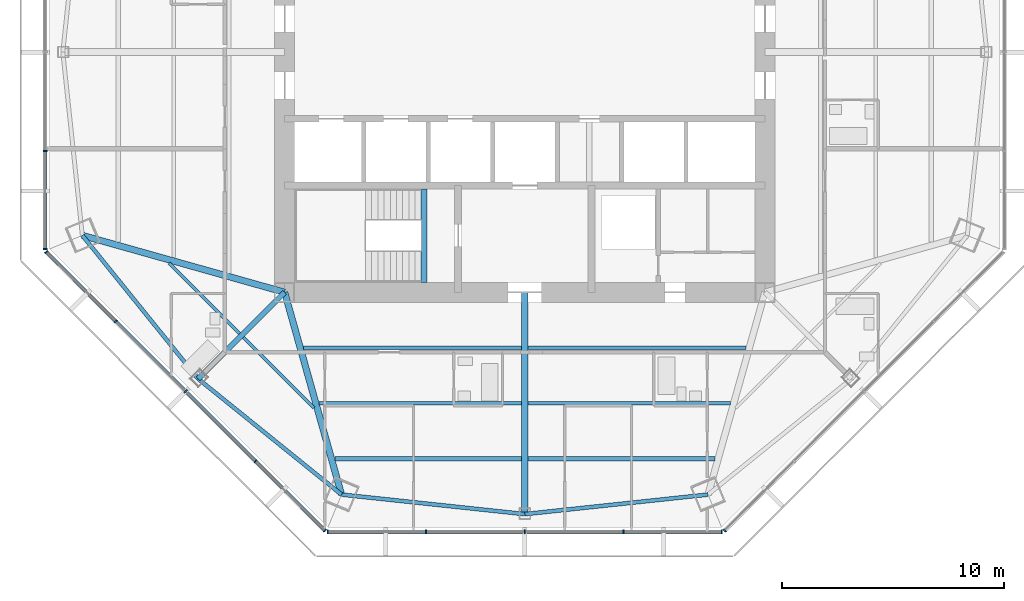
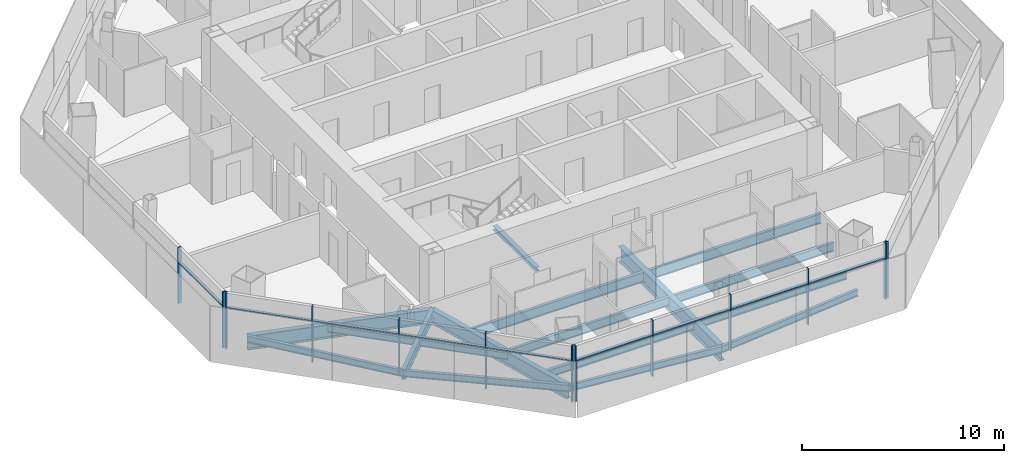
# One storey, part 2 of 15: 22 members, 17 beams, 4 elements without a shape of their own.
"""IFC4 building model written with IfcOpenShell, lengths in metres."""

from ifc_helpers import new_model, si_unit, direction, frame, origin, origin_2d, place, context, subcontext, project, spatial, rectangle, i_section, extrude, source, transform, mapped, material, material_profile, profile_set, type_object, type_shapes, element, aggregate, save


model = new_model("IFC4")

# Units and contexts
model_context = context("Model", 3, precision=1e-05, world=origin(), true_north=direction((0.0, 1.0)))
body_context = subcontext(model_context, "Body", "Model", "MODEL_VIEW")
ifc_project = project(units=[si_unit("LENGTHUNIT", "METRE"), si_unit("AREAUNIT", "SQUARE_METRE"), si_unit("VOLUMEUNIT", "CUBIC_METRE"), si_unit("PLANEANGLEUNIT", "RADIAN"), si_unit("MASSUNIT", "GRAM", prefix="KILO")], contexts=[model_context])

# Site, building, storey
site_placement = place(None, origin())
site = spatial("IfcSite", under=ifc_project, at=site_placement, CompositionType="ELEMENT")
building_placement = place(site_placement, origin())
building = spatial("IfcBuilding", under=site, at=building_placement, Name="Mashrafa Tower", CompositionType="ELEMENT")
storey_placement = place(building_placement, frame((0.0, 0.0, 227.800048828125)))
storey = spatial("IfcBuildingStorey", under=building, at=storey_placement, Name="L53", CompositionType="ELEMENT", Elevation=227.800048828125)

# Beams
ifc_material_1 = material(Name="Steel ASTM A992", Category="steel")
ifc_material_profile_1 = material_profile(ifc_material_1, i_section(OverallWidth=0.140380859375, OverallDepth=0.40380859375, WebThickness=0.007080078125, FlangeThickness=0.01123046875, FilletRadius=0.01025390625, at=origin_2d()), Name="W16X31")
ifc_profile_set_1 = profile_set([ifc_material_profile_1], Name="Steel ASTM A992")
beam_type_1 = type_object("IfcBeamType", Name="Beam W16X31", PredefinedType="BEAM", material=ifc_profile_set_1)
for number, where, z_axis, x_axis, name in (
    (1, (-12.826171875, -12.664794921875, -0.402099609375), (-0.707106781187, 0.707106781187, 0.0), (-0.707106781187, -0.707106781187, 0.0), "Floor beam L53 008"),
    (2, (-9.4892578125, -16.001708984375, -0.402099609375), (-0.707106781187, 0.707106781187, 0.0), (-0.707106781187, -0.707106781187, 0.0), "Floor beam L53 012"),
):
    element("IfcBeam", number, at=place(storey_placement, frame(where, z_axis=z_axis, x_axis=x_axis)), inside=storey, type_object=beam_type_1, Name=name, PredefinedType="BEAM", context=body_context, shape_type="SweptSolid", body=[
        extrude(i_section(OverallWidth=0.140380859375, OverallDepth=0.40380859375, WebThickness=0.007080078125, FlangeThickness=0.01123046875, FilletRadius=0.01025390625, at=origin_2d()), origin(), (0.0, 0.0, 1.0), 4.490966796875),
    ])
ifc_material_2 = material(Name="Steel ASTM A992", Category="steel")
ifc_material_profile_2 = material_profile(ifc_material_2, i_section(OverallWidth=0.177734375, OverallDepth=0.406494140625, WebThickness=0.0078125, FlangeThickness=0.012939453125, FilletRadius=0.01025390625, at=origin_2d()), Name="W16X40")
ifc_profile_set_2 = profile_set([ifc_material_profile_2], Name="Steel ASTM A992")
beam_type_2 = type_object("IfcBeamType", Name="Beam W16X40", PredefinedType="BEAM", material=ifc_profile_set_2)
for number, where, z_axis, x_axis, name in (
    (3, (-19.89794921875, -8.241943359375, -0.4033203125), (0.628208890377, -0.778044722398, 0.0), (0.778044722398, 0.628208890377, 0.0), "Spandrel beam L53 050"),
    (4, (-14.69091796875, -14.69091796875, -0.4033203125), (0.778044722398, -0.628208890377, 0.0), (0.628208890377, 0.778044722398, 0.0), "Spandrel beam L53 052"),
    (5, (-8.241943359375, -19.89794921875, -0.4033203125), (0.99437149569, -0.105949651056, 0.0), (0.105949651056, 0.99437149569, 0.0), "Spandrel beam L53 054"),
    (6, (0.0, -20.776123046875, -0.4033203125), (0.99437149569, 0.105949651056, 0.0), (-0.105949651056, 0.99437149569, 0.0), "Spandrel beam L53 056"),
):
    element("IfcBeam", number, at=place(storey_placement, frame(where, z_axis=z_axis, x_axis=x_axis)), inside=storey, type_object=beam_type_2, Name=name, PredefinedType="BEAM", context=body_context, shape_type="SweptSolid", body=[
        extrude(i_section(OverallWidth=0.177734375, OverallDepth=0.406494140625, WebThickness=0.0078125, FlangeThickness=0.012939453125, FilletRadius=0.01025390625, at=origin_2d()), origin(), (0.0, 0.0, 1.0), 8.28857421875),
    ])
ifc_material_3 = material(Name="Steel ASTM A992", Category="steel")
ifc_material_profile_3 = material_profile(ifc_material_3, i_section(OverallWidth=0.191162109375, OverallDepth=0.459716796875, WebThickness=0.010009765625, FlangeThickness=0.01611328125, FilletRadius=0.01025390625, at=origin_2d()), Name="W18X55")
ifc_profile_set_3 = profile_set([ifc_material_profile_3], Name="Steel ASTM A992")
beam_type_3 = type_object("IfcBeamType", Name="Beam W18X55", PredefinedType="BEAM", material=ifc_profile_set_3)
for number, where, z_axis, x_axis, name in (
    (7, (-0.15380859375, -18.2822265625, -0.429931640625), (-1.0, 0.0, 0.0), (0.0, -1.0, 0.0), "Floor beam L53 014"),
    (8, (8.544677734375, -18.2822265625, -0.429931640625), (-1.0, 0.0, 0.0), (0.0, -1.0, 0.0), "Floor beam L53 020"),
):
    element("IfcBeam", number, at=place(storey_placement, frame(where, z_axis=z_axis, x_axis=x_axis)), inside=storey, type_object=beam_type_3, Name=name, PredefinedType="BEAM", context=body_context, shape_type="SweptSolid", body=[
        extrude(i_section(OverallWidth=0.191162109375, OverallDepth=0.459716796875, WebThickness=0.010009765625, FlangeThickness=0.01611328125, FilletRadius=0.01025390625, at=origin_2d()), origin(), (0.0, 0.0, 1.0), 8.390869140625),
    ])
ifc_material_4 = material(Name="Steel ASTM A992", Category="steel")
ifc_material_profile_4 = material_profile(ifc_material_4, i_section(OverallWidth=0.1650390625, OverallDepth=0.52587890625, WebThickness=0.0087890625, FlangeThickness=0.011474609375, FilletRadius=0.0126953125, at=origin_2d()), Name="W21X44")
ifc_profile_set_4 = profile_set([ifc_material_profile_4], Name="Steel ASTM A992")
beam_type_4 = type_object("IfcBeamType", Name="Beam W21X44", PredefinedType="BEAM", material=ifc_profile_set_4)
for number, where, z_axis, x_axis, name in (
    (9, (-0.15380859375, -15.7880859375, -0.462890625), (-1.0, 0.0, 0.0), (0.0, -1.0, 0.0), "Floor beam L53 015"),
    (10, (9.245849609375, -15.7880859375, -0.462890625), (-1.0, 0.0, 0.0), (0.0, -1.0, 0.0), "Floor beam L53 022"),
):
    element("IfcBeam", number, at=place(storey_placement, frame(where, z_axis=z_axis, x_axis=x_axis)), inside=storey, type_object=beam_type_4, Name=name, PredefinedType="BEAM", context=body_context, shape_type="SweptSolid", body=[
        extrude(i_section(OverallWidth=0.1650390625, OverallDepth=0.52587890625, WebThickness=0.0087890625, FlangeThickness=0.011474609375, FilletRadius=0.0126953125, at=origin_2d()), origin(), (0.0, 0.0, 1.0), 9.092041015625),
    ])
ifc_material_5 = material(Name="Steel ASTM A992", Category="steel")
ifc_material_profile_5 = material_profile(ifc_material_5, i_section(OverallWidth=0.177978515625, OverallDepth=0.599365234375, WebThickness=0.010009765625, FlangeThickness=0.012939453125, FilletRadius=0.012939453125, at=origin_2d()), Name="W24X55")
ifc_profile_set_5 = profile_set([ifc_material_profile_5], Name="Steel ASTM A992")
beam_type_5 = type_object("IfcBeamType", Name="Beam W24X55", PredefinedType="BEAM", material=ifc_profile_set_5)
for number, where, z_axis, x_axis, name in (
    (11, (-0.15380859375, -13.294189453125, -0.499755859375), (-1.0, 0.0, 0.0), (0.0, -1.0, 0.0), "Floor beam L53 016"),
    (12, (9.947021484375, -13.294189453125, -0.499755859375), (-1.0, 0.0, 0.0), (0.0, -1.0, 0.0), "Floor beam L53 023"),
):
    element("IfcBeam", number, at=place(storey_placement, frame(where, z_axis=z_axis, x_axis=x_axis)), inside=storey, type_object=beam_type_5, Name=name, PredefinedType="BEAM", context=body_context, shape_type="SweptSolid", body=[
        extrude(i_section(OverallWidth=0.177978515625, OverallDepth=0.599365234375, WebThickness=0.010009765625, FlangeThickness=0.012939453125, FilletRadius=0.012939453125, at=origin_2d()), origin(), (0.0, 0.0, 1.0), 9.793212890625),
    ])
ifc_material_6 = material(Name="Steel ASTM A992", Category="steel")
ifc_material_profile_6 = material_profile(ifc_material_6, i_section(OverallWidth=0.228271484375, OverallDepth=0.607177734375, WebThickness=0.01123046875, FlangeThickness=0.017333984375, FilletRadius=0.0126953125, at=origin_2d()), Name="W24X76")
ifc_profile_set_6 = profile_set([ifc_material_profile_6], Name="Steel ASTM A992")
beam_type_6 = type_object("IfcBeamType", Name="Beam W24X76", PredefinedType="BEAM", material=ifc_profile_set_6)
beam_1_placement = place(storey_placement, frame((-10.800048828125, -10.800048828125, -0.503662109375), z_axis=(-0.707106781187, -0.707106781187, 0.0), x_axis=(0.707106781187, -0.707106781187, 0.0)))
element("IfcBeam", 13, at=beam_1_placement, inside=storey, type_object=beam_type_6, Name="Radial girder L53 034", PredefinedType="BEAM", context=body_context, shape_type="SweptSolid", body=[
    extrude(i_section(OverallWidth=0.228271484375, OverallDepth=0.607177734375, WebThickness=0.01123046875, FlangeThickness=0.017333984375, FilletRadius=0.0126953125, at=origin_2d()), origin(), (0.0, 0.0, 1.0), 5.50244140625),
])
ifc_material_7 = material(Name="Steel ASTM A992", Category="steel")
ifc_material_profile_7 = material_profile(ifc_material_7, i_section(OverallWidth=0.2919921875, OverallDepth=0.845703125, WebThickness=0.015380859375, FlangeThickness=0.0244140625, FilletRadius=0.017333984375, at=origin_2d()), Name="W33X141")
ifc_profile_set_7 = profile_set([ifc_material_profile_7], Name="Steel ASTM A992")
beam_type_7 = type_object("IfcBeamType", Name="Beam W33X141", PredefinedType="BEAM", material=ifc_profile_set_7)
for number, where, z_axis, x_axis, name in (
    (14, (-10.800048828125, -10.800048828125, -0.623046875), (-0.962669663911, 0.270678994726, 0.0), (-0.270678994726, -0.962669663911, 0.0), "Radial girder L53 033"),
    (15, (-10.800048828125, -10.800048828125, -0.623046875), (0.270678994726, -0.962669663911, 0.0), (0.962669663911, 0.270678994726, 0.0), "Radial girder L53 035"),
):
    element("IfcBeam", number, at=place(storey_placement, frame(where, z_axis=z_axis, x_axis=x_axis)), inside=storey, type_object=beam_type_7, Name=name, PredefinedType="BEAM", context=body_context, shape_type="SweptSolid", body=[
        extrude(i_section(OverallWidth=0.2919921875, OverallDepth=0.845703125, WebThickness=0.015380859375, FlangeThickness=0.0244140625, FilletRadius=0.017333984375, at=origin_2d()), origin(), (0.0, 0.0, 1.0), 9.45068359375),
    ])
ifc_material_8 = material(Name="Steel ASTM A992", Category="steel")
ifc_material_profile_8 = material_profile(ifc_material_8, i_section(OverallWidth=0.307373046875, OverallDepth=0.927001953125, WebThickness=0.01953125, FlangeThickness=0.031982421875, FilletRadius=0.01904296875, at=origin_2d()), Name="W36X194")
ifc_profile_set_8 = profile_set([ifc_material_profile_8], Name="Steel ASTM A992")
beam_type_8 = type_object("IfcBeamType", Name="Beam W36X194", PredefinedType="BEAM", material=ifc_profile_set_8)
beam_2_placement = place(storey_placement, frame((0.0, -10.800048828125, -0.66357421875), z_axis=(0.0, -1.0, 0.0), x_axis=(1.0, 0.0, 0.0)))
element("IfcBeam", 16, at=beam_2_placement, inside=storey, type_object=beam_type_8, Name="Radial girder L53 040", PredefinedType="BEAM", context=body_context, shape_type="SweptSolid", body=[
    extrude(i_section(OverallWidth=0.307373046875, OverallDepth=0.927001953125, WebThickness=0.01953125, FlangeThickness=0.031982421875, FilletRadius=0.01904296875, at=origin_2d()), origin(), (0.0, 0.0, 1.0), 9.97607421875),
])
ifc_material_9 = material(Name="Steel ASTM A992", Category="steel")
ifc_material_profile_9 = material_profile(ifc_material_9, i_section(OverallWidth=0.25390625, OverallDepth=0.25390625, WebThickness=0.008544921875, FlangeThickness=0.01416015625, FilletRadius=0.010009765625, at=origin_2d()), Name="W10X49")
ifc_profile_set_9 = profile_set([ifc_material_profile_9], Name="Steel ASTM A992")
beam_type_9 = type_object("IfcBeamType", Name="Hoistway beam W10X49", PredefinedType="BEAM", material=ifc_profile_set_9)
beam_3_placement = place(storey_placement, frame((-4.530029296875, -10.35009765625, -0.3271484375), z_axis=(0.0, 1.0, 0.0), x_axis=(-1.0, 0.0, 0.0)))
element("IfcBeam", 17, at=beam_3_placement, inside=storey, type_object=beam_type_9, Name="Stair S3 landing beam L53", PredefinedType="BEAM", context=body_context, shape_type="SweptSolid", body=[
    extrude(i_section(OverallWidth=0.25390625, OverallDepth=0.25390625, WebThickness=0.008544921875, FlangeThickness=0.01416015625, FilletRadius=0.010009765625, at=origin_2d()), origin(), (0.0, 0.0, 1.0), 4.2001953125),
])

# Curtain wall, members
ifc_material_10 = material(Name="Unitised aluminium curtain wall", Category="aluminium")
curtain_wall_type = type_object("IfcCurtainWallType", Name="Apartment curtain wall, zone 3 CW-C 180 deep", PredefinedType="NOTDEFINED", material=ifc_material_10)
curtain_wall_1_placement = place(storey_placement, origin())
curtain_wall_1 = element("IfcCurtainWall", 18, at=curtain_wall_1_placement, inside=storey, type_object=curtain_wall_type, Name="Apartment curtain wall, zone 3 L53 west", PredefinedType="NOTDEFINED")
ifc_material_11 = material(Name="Extruded aluminium mullion", Category="aluminium")
ifc_material_profile_10 = material_profile(ifc_material_11, rectangle(XDim=0.179931640625, YDim=0.06005859375, at=origin_2d()), Name="Mullion 60x180")
ifc_profile_set_10 = profile_set([ifc_material_profile_10], Name="Extruded aluminium mullion")
member_type_1 = type_object("IfcMemberType", Name="Mullion CW-C 60 x 180", PredefinedType="MULLION", material=ifc_profile_set_10)
shared_shape_1 = source(origin(), body_context, "Body", "SweptSolid", [
    extrude(rectangle(XDim=0.179931640625, YDim=0.06005859375, at=origin_2d()), origin(), (0.0, 0.0, 1.0), 3.39990234375),
])
type_shapes(member_type_1, [shared_shape_1])
member_1_placement = place(storey_placement, frame((-21.570556640625, -4.44384765625, 0.0), z_axis=(0.0, 0.0, 1.0), x_axis=(1.0, 0.0, 0.0)))
member_1 = element("IfcMember", 19, at=member_1_placement, type_object=member_type_1, Name="CW-C mullion 4", PredefinedType="MULLION", context=body_context, shape_type="MappedRepresentation", body=[
    mapped(shared_shape_1, transform((0.0, 0.0, 0.0))),
])
member_2_placement = place(storey_placement, frame((-21.570556640625, -8.857666015625, 0.0), z_axis=(0.0, 0.0, 1.0), x_axis=(1.0, 0.0, 0.0)))
member_2 = element("IfcMember", 20, at=member_2_placement, type_object=member_type_1, Name="CW-C mullion 5", PredefinedType="MULLION", context=body_context, shape_type="MappedRepresentation", body=[
    mapped(shared_shape_1, transform((0.0, 0.0, 0.0))),
])

curtain_wall_2_placement = place(storey_placement, origin())
curtain_wall_2 = element("IfcCurtainWall", 21, at=curtain_wall_2_placement, inside=storey, type_object=curtain_wall_type, Name="Apartment curtain wall, zone 3 L53 south-west", PredefinedType="NOTDEFINED")
member_3_placement = place(storey_placement, frame((-21.515869140625, -8.989501953125, 0.0), z_axis=(0.0, 0.0, 1.0), x_axis=(0.707106781187, 0.707106781187, 0.0)))
member_3 = element("IfcMember", 22, at=member_3_placement, type_object=member_type_1, Name="CW-C mullion 1", PredefinedType="MULLION", context=body_context, shape_type="MappedRepresentation", body=[
    mapped(shared_shape_1, transform((0.0, 0.0, 0.0))),
])
member_4_placement = place(storey_placement, frame((-18.39501953125, -12.110595703125, 0.0), z_axis=(0.0, 0.0, 1.0), x_axis=(0.707106781187, 0.707106781187, 0.0)))
member_4 = element("IfcMember", 23, at=member_4_placement, type_object=member_type_1, Name="CW-C mullion 2", PredefinedType="MULLION", context=body_context, shape_type="MappedRepresentation", body=[
    mapped(shared_shape_1, transform((0.0, 0.0, 0.0))),
])
member_5_placement = place(storey_placement, frame((-15.252685546875, -15.252685546875, 0.0), z_axis=(0.0, 0.0, 1.0), x_axis=(0.707106781187, 0.707106781187, 0.0)))
member_5 = element("IfcMember", 24, at=member_5_placement, type_object=member_type_1, Name="CW-C mullion 3", PredefinedType="MULLION", context=body_context, shape_type="MappedRepresentation", body=[
    mapped(shared_shape_1, transform((0.0, 0.0, 0.0))),
])
member_6_placement = place(storey_placement, frame((-12.110595703125, -18.39501953125, 0.0), z_axis=(0.0, 0.0, 1.0), x_axis=(0.707106781187, 0.707106781187, 0.0)))
member_6 = element("IfcMember", 25, at=member_6_placement, type_object=member_type_1, Name="CW-C mullion 4", PredefinedType="MULLION", context=body_context, shape_type="MappedRepresentation", body=[
    mapped(shared_shape_1, transform((0.0, 0.0, 0.0))),
])
member_7_placement = place(storey_placement, frame((-8.989501953125, -21.515869140625, 0.0), z_axis=(0.0, 0.0, 1.0), x_axis=(0.707106781187, 0.707106781187, 0.0)))
member_7 = element("IfcMember", 26, at=member_7_placement, type_object=member_type_1, Name="CW-C mullion 5", PredefinedType="MULLION", context=body_context, shape_type="MappedRepresentation", body=[
    mapped(shared_shape_1, transform((0.0, 0.0, 0.0))),
])

curtain_wall_3_placement = place(storey_placement, origin())
curtain_wall_3 = element("IfcCurtainWall", 27, at=curtain_wall_3_placement, inside=storey, type_object=curtain_wall_type, Name="Apartment curtain wall, zone 3 L53 south", PredefinedType="NOTDEFINED")
member_8_placement = place(storey_placement, frame((-8.857666015625, -21.570556640625, 0.0), z_axis=(0.0, 0.0, 1.0), x_axis=(0.0, 1.0, 0.0)))
member_8 = element("IfcMember", 28, at=member_8_placement, type_object=member_type_1, Name="CW-C mullion 1", PredefinedType="MULLION", context=body_context, shape_type="MappedRepresentation", body=[
    mapped(shared_shape_1, transform((0.0, 0.0, 0.0))),
])
member_9_placement = place(storey_placement, frame((-4.44384765625, -21.570556640625, 0.0), z_axis=(0.0, 0.0, 1.0), x_axis=(0.0, 1.0, 0.0)))
member_9 = element("IfcMember", 29, at=member_9_placement, type_object=member_type_1, Name="CW-C mullion 2", PredefinedType="MULLION", context=body_context, shape_type="MappedRepresentation", body=[
    mapped(shared_shape_1, transform((0.0, 0.0, 0.0))),
])
member_10_placement = place(storey_placement, frame((0.0, -21.570556640625, 0.0), z_axis=(0.0, 0.0, 1.0), x_axis=(0.0, 1.0, 0.0)))
member_10 = element("IfcMember", 30, at=member_10_placement, type_object=member_type_1, Name="CW-C mullion 3", PredefinedType="MULLION", context=body_context, shape_type="MappedRepresentation", body=[
    mapped(shared_shape_1, transform((0.0, 0.0, 0.0))),
])
member_11_placement = place(storey_placement, frame((4.44384765625, -21.570556640625, 0.0), z_axis=(0.0, 0.0, 1.0), x_axis=(0.0, 1.0, 0.0)))
member_11 = element("IfcMember", 31, at=member_11_placement, type_object=member_type_1, Name="CW-C mullion 4", PredefinedType="MULLION", context=body_context, shape_type="MappedRepresentation", body=[
    mapped(shared_shape_1, transform((0.0, 0.0, 0.0))),
])
member_12_placement = place(storey_placement, frame((8.857666015625, -21.570556640625, 0.0), z_axis=(0.0, 0.0, 1.0), x_axis=(0.0, 1.0, 0.0)))
member_12 = element("IfcMember", 32, at=member_12_placement, type_object=member_type_1, Name="CW-C mullion 5", PredefinedType="MULLION", context=body_context, shape_type="MappedRepresentation", body=[
    mapped(shared_shape_1, transform((0.0, 0.0, 0.0))),
])

# Curtain wall, member
curtain_wall_4_placement = place(storey_placement, origin())
curtain_wall_4 = element("IfcCurtainWall", 33, at=curtain_wall_4_placement, inside=storey, type_object=curtain_wall_type, Name="Apartment curtain wall, zone 3 L53 south-east", PredefinedType="NOTDEFINED")
member_13_placement = place(storey_placement, frame((8.989501953125, -21.515869140625, 0.0), z_axis=(0.0, 0.0, 1.0), x_axis=(-0.707106781187, 0.707106781187, 0.0)))
member_13 = element("IfcMember", 34, at=member_13_placement, type_object=member_type_1, Name="CW-C mullion 1", PredefinedType="MULLION", context=body_context, shape_type="MappedRepresentation", body=[
    mapped(shared_shape_1, transform((0.0, 0.0, 0.0))),
])
aggregate(curtain_wall_4, [member_13])

# Member
ifc_material_12 = material(Name="Extruded aluminium transom", Category="aluminium")
ifc_material_profile_11 = material_profile(ifc_material_12, rectangle(XDim=0.14404296875, YDim=0.074951171875, at=origin_2d()), Name="Transom 75x144")
ifc_profile_set_11 = profile_set([ifc_material_profile_11], Name="Extruded aluminium transom")
member_type_2 = type_object("IfcMemberType", Name="Transom CW-C 75 x 144", PredefinedType="MULLION", material=ifc_profile_set_11)
shared_shape_2 = source(origin(), body_context, "Body", "SweptSolid", [
    extrude(rectangle(XDim=0.14404296875, YDim=0.074951171875, at=origin_2d()), origin(), (0.0, 0.0, 1.0), 4.353759765625),
])
member_14_placement = place(storey_placement, frame((-21.570556640625, -4.473876953125, 2.5), z_axis=(0.0, -1.0, 0.0), x_axis=(1.0, 0.0, 0.0)))
member_14 = element("IfcMember", 35, at=member_14_placement, type_object=member_type_2, Name="CW-C transom 4", PredefinedType="MULLION", context=body_context, shape_type="MappedRepresentation", body=[
    mapped(shared_shape_2, transform((0.0, 0.0, 0.0))),
])

aggregate(curtain_wall_1, [member_1, member_2, member_14])

member_15_placement = place(storey_placement, frame((-21.49462890625, -9.0107421875, 2.5), z_axis=(0.707078741978, -0.707134819283, 0.0), x_axis=(0.707134819283, 0.707078741978, 0.0)))
member_15 = element("IfcMember", 36, at=member_15_placement, type_object=member_type_2, Name="CW-C transom 1", PredefinedType="MULLION", context=body_context, shape_type="MappedRepresentation", body=[
    mapped(shared_shape_2, transform((0.0, 0.0, 0.0))),
])

member_16_placement = place(storey_placement, frame((-12.08935546875, -18.416259765625, 2.5), z_axis=(0.707134819283, -0.707078741978, 0.0), x_axis=(0.707078741978, 0.707134819283, 0.0)))
member_16 = element("IfcMember", 37, at=member_16_placement, type_object=member_type_2, Name="CW-C transom 4", PredefinedType="MULLION", context=body_context, shape_type="MappedRepresentation", body=[
    mapped(shared_shape_2, transform((0.0, 0.0, 0.0))),
])

member_17_placement = place(storey_placement, frame((-8.82763671875, -21.570556640625, 2.5), z_axis=(1.0, 0.0, 0.0), x_axis=(0.0, 1.0, 0.0)))
member_17 = element("IfcMember", 38, at=member_17_placement, type_object=member_type_2, Name="CW-C transom 1", PredefinedType="MULLION", context=body_context, shape_type="MappedRepresentation", body=[
    mapped(shared_shape_2, transform((0.0, 0.0, 0.0))),
])

member_18_placement = place(storey_placement, frame((4.473876953125, -21.570556640625, 2.5), z_axis=(1.0, 0.0, 0.0), x_axis=(0.0, 1.0, 0.0)))
member_18 = element("IfcMember", 39, at=member_18_placement, type_object=member_type_2, Name="CW-C transom 4", PredefinedType="MULLION", context=body_context, shape_type="MappedRepresentation", body=[
    mapped(shared_shape_2, transform((0.0, 0.0, 0.0))),
])

shared_shape_3 = source(origin(), body_context, "Body", "SweptSolid", [
    extrude(rectangle(XDim=0.14404296875, YDim=0.074951171875, at=origin_2d()), origin(), (0.0, 0.0, 1.0), 4.3837890625),
])
type_shapes(member_type_2, [shared_shape_2, shared_shape_3])
member_19_placement = place(storey_placement, frame((-18.373779296875, -12.131591796875, 2.5), z_axis=(0.707106781187, -0.707106781187, 0.0), x_axis=(0.707106781187, 0.707106781187, 0.0)))
member_19 = element("IfcMember", 40, at=member_19_placement, type_object=member_type_2, Name="CW-C transom 2", PredefinedType="MULLION", context=body_context, shape_type="MappedRepresentation", body=[
    mapped(shared_shape_3, transform((0.0, 0.0, 0.0))),
])

member_20_placement = place(storey_placement, frame((-15.2314453125, -15.27392578125, 2.5), z_axis=(0.707106781187, -0.707106781187, 0.0), x_axis=(0.707106781187, 0.707106781187, 0.0)))
member_20 = element("IfcMember", 41, at=member_20_placement, type_object=member_type_2, Name="CW-C transom 3", PredefinedType="MULLION", context=body_context, shape_type="MappedRepresentation", body=[
    mapped(shared_shape_3, transform((0.0, 0.0, 0.0))),
])

aggregate(curtain_wall_2, [member_3, member_4, member_5, member_6, member_7, member_15, member_19, member_20, member_16])

member_21_placement = place(storey_placement, frame((-4.413818359375, -21.570556640625, 2.5), z_axis=(1.0, 0.0, 0.0), x_axis=(0.0, 1.0, 0.0)))
member_21 = element("IfcMember", 42, at=member_21_placement, type_object=member_type_2, Name="CW-C transom 2", PredefinedType="MULLION", context=body_context, shape_type="MappedRepresentation", body=[
    mapped(shared_shape_3, transform((0.0, 0.0, 0.0))),
])

member_22_placement = place(storey_placement, frame((0.030029296875, -21.570556640625, 2.5), z_axis=(1.0, 0.0, 0.0), x_axis=(0.0, 1.0, 0.0)))
member_22 = element("IfcMember", 43, at=member_22_placement, type_object=member_type_2, Name="CW-C transom 3", PredefinedType="MULLION", context=body_context, shape_type="MappedRepresentation", body=[
    mapped(shared_shape_3, transform((0.0, 0.0, 0.0))),
])

aggregate(curtain_wall_3, [member_8, member_9, member_10, member_11, member_12, member_17, member_21, member_22, member_18])

save(model, "model.ifc")
